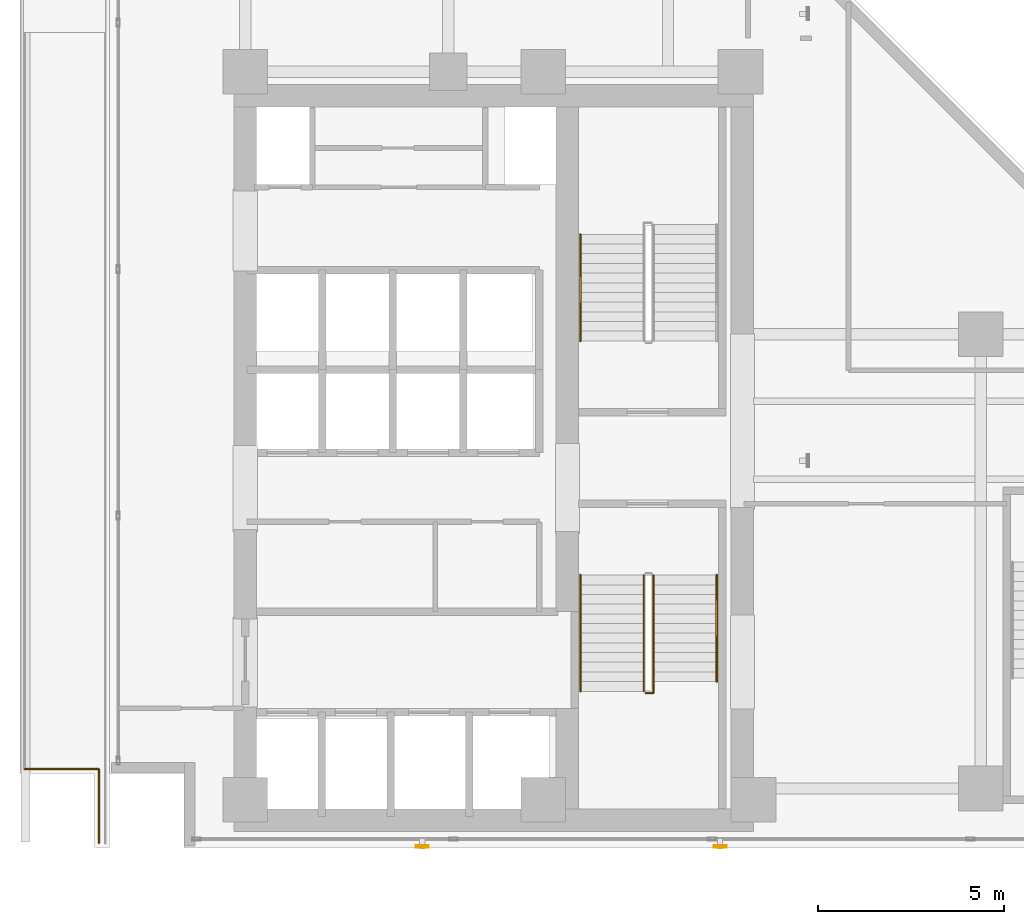
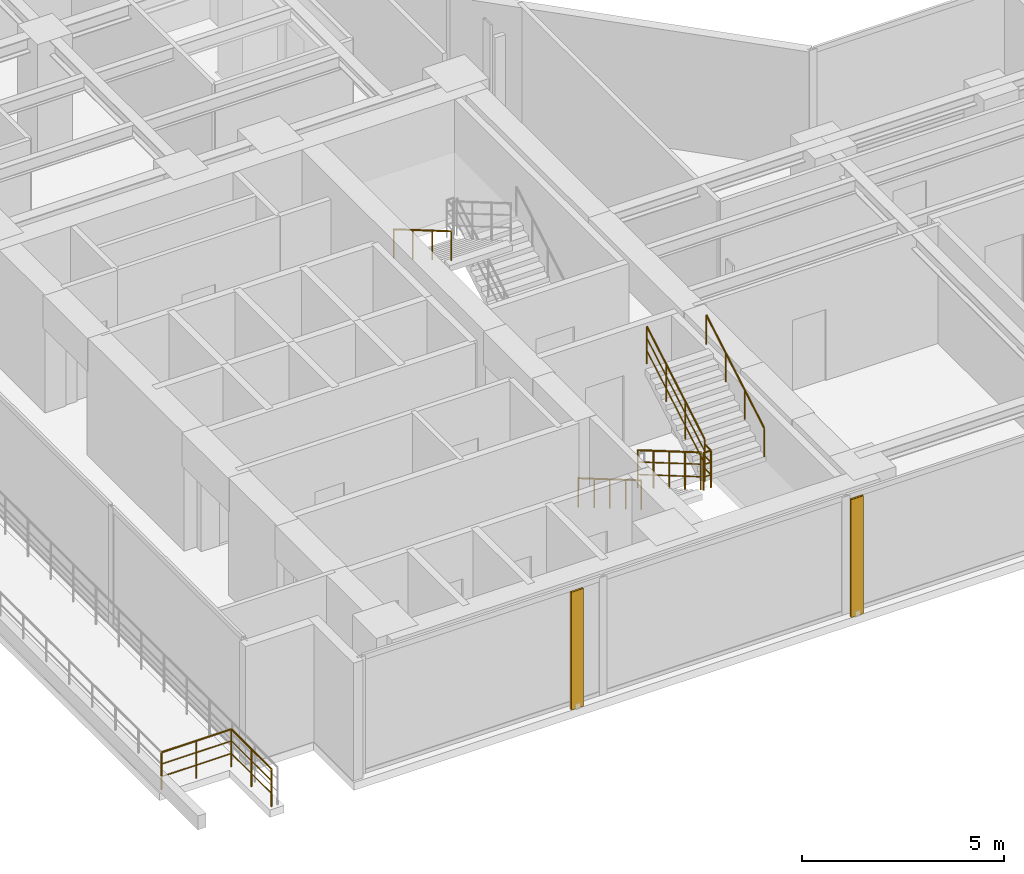
# One storey, part 24 of 28: 8 railings, 2 shading devices.
"""IFC4 building model written with IfcOpenShell, lengths in metres."""

from ifc_helpers import new_model, si_unit, direction, frame, origin, origin_2d, place, context, subcontext, project, spatial, hollow_rectangle, circle, extrude, material, material_profile, profile_set, type_object, element, save


model = new_model("IFC4")

# Units and contexts
model_context = context("Model", 3, precision=1e-05, world=origin(), true_north=direction((0.0, 1.0)))
body_context = subcontext(model_context, "Body", "Model", "MODEL_VIEW")
ifc_project = project(units=[si_unit("LENGTHUNIT", "METRE"), si_unit("AREAUNIT", "SQUARE_METRE"), si_unit("VOLUMEUNIT", "CUBIC_METRE"), si_unit("PLANEANGLEUNIT", "RADIAN"), si_unit("MASSUNIT", "GRAM", prefix="KILO")], contexts=[model_context])

# Site, building, storey
site_placement = place(None, origin())
site = spatial("IfcSite", under=ifc_project, at=site_placement, CompositionType="ELEMENT")
building_placement = place(site_placement, origin())
building = spatial("IfcBuilding", under=site, at=building_placement, Name="Kolvaren Waterfront Exchange", CompositionType="ELEMENT")
storey_placement = place(building_placement, frame((0.0, 0.0, 146.199951171875)))
storey = spatial("IfcBuildingStorey", under=building, at=storey_placement, Name="L37", CompositionType="ELEMENT", Elevation=146.199951171875)

# Shading devices
ifc_material_1 = material(Name="Anodised bronze aluminium 6063-T6", Category="aluminium")
ifc_material_profile = material_profile(ifc_material_1, hollow_rectangle(XDim=0.06005859375, YDim=0.35009765625, WallThickness=0.0048828125, at=origin_2d()), Name="BRZ-FIN-350x60x5")
ifc_profile_set = profile_set([ifc_material_profile], Name="Anodised bronze aluminium 6063-T6")
shading_device_type = type_object("IfcShadingDeviceType", Name="ARC-FIN-350", PredefinedType="USERDEFINED", material=ifc_profile_set)
for number, where, z_axis, x_axis, name in (
    (1, (12.199951171875, 3.639892578125, 0.0), (0.0, 0.0, 1.0), (0.0, -1.0, 0.0), "L37 anodised bronze solar shading fin FIN-L37-S1"),
    (2, (20.199951171875, 3.639892578125, 0.0), (0.0, 0.0, 1.0), (0.0, -1.0, 0.0), "L37 anodised bronze solar shading fin FIN-L37-S2"),
):
    element("IfcShadingDevice", number, at=place(storey_placement, frame(where, z_axis=z_axis, x_axis=x_axis)), inside=storey, type_object=shading_device_type, Name=name, ObjectType="SOLAR FIN", PredefinedType="USERDEFINED", context=body_context, shape_type="SweptSolid", body=[
        extrude(hollow_rectangle(XDim=0.06005859375, YDim=0.35009765625, WallThickness=0.0048828125, at=origin_2d()), origin(), (0.0, 0.0, 1.0), 3.56005859375),
    ])

# Railings
railing_type_1 = type_object("IfcRailingType", Name="ARC-GUARD-EXT", PredefinedType="GUARDRAIL", material=ifc_material_1)
railing_1_placement = place(storey_placement, frame((3.52001953125, 5.719970703125, 0.0)))
element("IfcRailing", 3, at=railing_1_placement, inside=storey, type_object=railing_type_1, Name="L37 sky-garden perimeter balustrade 2", PredefinedType="GUARDRAIL", context=body_context, shape_type="SweptSolid", body=[
    extrude(circle(Radius=0.02392578125, at=origin_2d()), frame((0.0, 0.0, 1.1259765625), z_axis=(-1.0, 0.0, 0.0), x_axis=(0.0, -1.0, 0.0)), (0.0, 0.0, 1.0), 2.0),
    extrude(circle(Radius=0.01611328125, at=origin_2d()), frame((0.0, 0.0, 0.390869140625), z_axis=(-1.0, 0.0, 0.0), x_axis=(0.0, -1.0, 0.0)), (0.0, 0.0, 1.0), 2.0),
    extrude(circle(Radius=0.01611328125, at=origin_2d()), frame((0.0, 0.0, 0.7705078125), z_axis=(-1.0, 0.0, 0.0), x_axis=(0.0, -1.0, 0.0)), (0.0, 0.0, 1.0), 2.0),
    extrude(circle(Radius=0.02099609375, at=origin_2d()), origin(), (0.0, 0.0, 1.0), 1.101806640625),
    extrude(circle(Radius=0.02099609375, at=origin_2d()), frame((-1.0, 0.0, 0.0)), (0.0, 0.0, 1.0), 1.101806640625),
    extrude(circle(Radius=0.02099609375, at=origin_2d()), frame((-2.0, 0.0, 0.0)), (0.0, 0.0, 1.0), 1.101806640625),
])
railing_2_placement = place(storey_placement, frame((3.52001953125, 3.72998046875, 0.0)))
element("IfcRailing", 4, at=railing_2_placement, inside=storey, type_object=railing_type_1, Name="L37 sky-garden perimeter balustrade 2", PredefinedType="GUARDRAIL", context=body_context, shape_type="SweptSolid", body=[
    extrude(circle(Radius=0.02392578125, at=origin_2d()), frame((0.0, 0.0, 1.1259765625), z_axis=(0.0, 1.0, 0.0), x_axis=(-1.0, 0.0, 0.0)), (0.0, 0.0, 1.0), 1.989990234375),
    extrude(circle(Radius=0.01611328125, at=origin_2d()), frame((0.0, 0.0, 0.390869140625), z_axis=(0.0, 1.0, 0.0), x_axis=(-1.0, 0.0, 0.0)), (0.0, 0.0, 1.0), 1.989990234375),
    extrude(circle(Radius=0.01611328125, at=origin_2d()), frame((0.0, 0.0, 0.7705078125), z_axis=(0.0, 1.0, 0.0), x_axis=(-1.0, 0.0, 0.0)), (0.0, 0.0, 1.0), 1.989990234375),
    extrude(circle(Radius=0.02099609375, at=origin_2d()), origin(), (0.0, 0.0, 1.0), 1.101806640625),
    extrude(circle(Radius=0.02099609375, at=origin_2d()), frame((0.0, 0.9951171875, 0.0)), (0.0, 0.0, 1.0), 1.101806640625),
    extrude(circle(Radius=0.02099609375, at=origin_2d()), frame((0.0, 1.989990234375, 0.0)), (0.0, 0.0, 1.0), 1.101806640625),
])
ifc_material_2 = material(Name="Stainless steel 316", Category="steel")
railing_type_2 = type_object("IfcRailingType", Name="ARC-GUARD-STAIR", PredefinedType="GUARDRAIL", material=ifc_material_2)
railing_3_placement = place(storey_placement, frame((18.14990234375, 10.929931640625, 0.152099609375)))
element("IfcRailing", 5, at=railing_3_placement, inside=storey, type_object=railing_type_2, Name="L37 ST1 stair guard 1", PredefinedType="GUARDRAIL", context=body_context, shape_type="SweptSolid", body=[
    extrude(circle(Radius=0.02392578125, at=origin_2d()), frame((0.0, 0.0, 1.1259765625), z_axis=(0.0, -0.86329090724, 0.504706656858), x_axis=(1.0, 0.0, 0.0)), (0.0, 0.0, 1.0), 3.614013671875),
    extrude(circle(Radius=0.01611328125, at=origin_2d()), frame((0.0, 0.0, 0.390869140625), z_axis=(0.0, -0.86329090724, 0.504706656858), x_axis=(1.0, 0.0, 0.0)), (0.0, 0.0, 1.0), 3.614013671875),
    extrude(circle(Radius=0.01611328125, at=origin_2d()), frame((0.0, 0.0, 0.7705078125), z_axis=(0.0, -0.86329090724, 0.504706656858), x_axis=(1.0, 0.0, 0.0)), (0.0, 0.0, 1.0), 3.614013671875),
    extrude(circle(Radius=0.02099609375, at=origin_2d()), origin(), (0.0, 0.0, 1.0), 1.101806640625),
    extrude(circle(Radius=0.02099609375, at=origin_2d()), frame((0.0, -0.780029296875, 0.4560546875)), (0.0, 0.0, 1.0), 1.101806640625),
    extrude(circle(Radius=0.02099609375, at=origin_2d()), frame((0.0, -1.56005859375, 0.912109375)), (0.0, 0.0, 1.0), 1.101806640625),
    extrude(circle(Radius=0.02099609375, at=origin_2d()), frame((0.0, -2.33984375, 1.367919921875)), (0.0, 0.0, 1.0), 1.101806640625),
    extrude(circle(Radius=0.02099609375, at=origin_2d()), frame((0.0, -3.119873046875, 1.823974609375)), (0.0, 0.0, 1.0), 1.101806640625),
])
railing_4_placement = place(storey_placement, frame((18.199951171875, 7.760009765625, 1.97607421875)))
element("IfcRailing", 6, at=railing_4_placement, inside=storey, type_object=railing_type_2, Name="L37 ST1 stair guard 2", PredefinedType="GUARDRAIL", context=body_context, shape_type="SweptSolid", body=[
    extrude(circle(Radius=0.02392578125, at=origin_2d()), frame((0.0, 0.0, 1.1259765625), z_axis=(1.0, 0.0, 0.0), x_axis=(0.0, 1.0, 0.0)), (0.0, 0.0, 1.0), 0.2099609375),
    extrude(circle(Radius=0.01611328125, at=origin_2d()), frame((0.0, 0.0, 0.390869140625), z_axis=(1.0, 0.0, 0.0), x_axis=(0.0, 1.0, 0.0)), (0.0, 0.0, 1.0), 0.2099609375),
    extrude(circle(Radius=0.01611328125, at=origin_2d()), frame((0.0, 0.0, 0.7705078125), z_axis=(1.0, 0.0, 0.0), x_axis=(0.0, 1.0, 0.0)), (0.0, 0.0, 1.0), 0.2099609375),
    extrude(circle(Radius=0.02392578125, at=origin_2d()), frame((0.2099609375, 0.0, 1.1259765625), z_axis=(0.0, 1.0, 0.0), x_axis=(-1.0, 0.0, 0.0)), (0.0, 0.0, 1.0), 0.31005859375),
    extrude(circle(Radius=0.01611328125, at=origin_2d()), frame((0.2099609375, 0.0, 0.390869140625), z_axis=(0.0, 1.0, 0.0), x_axis=(-1.0, 0.0, 0.0)), (0.0, 0.0, 1.0), 0.31005859375),
    extrude(circle(Radius=0.01611328125, at=origin_2d()), frame((0.2099609375, 0.0, 0.7705078125), z_axis=(0.0, 1.0, 0.0), x_axis=(-1.0, 0.0, 0.0)), (0.0, 0.0, 1.0), 0.31005859375),
    extrude(circle(Radius=0.02099609375, at=origin_2d()), origin(), (0.0, 0.0, 1.0), 1.101806640625),
    extrude(circle(Radius=0.02099609375, at=origin_2d()), frame((0.2099609375, 0.0, 0.0)), (0.0, 0.0, 1.0), 1.101806640625),
    extrude(circle(Radius=0.02099609375, at=origin_2d()), frame((0.2099609375, 0.31005859375, 0.0)), (0.0, 0.0, 1.0), 1.101806640625),
])
railing_5_placement = place(storey_placement, frame((18.409912109375, 8.070068359375, 2.1279296875)))
element("IfcRailing", 7, at=railing_5_placement, inside=storey, type_object=railing_type_2, Name="L37 ST1 stair guard 3", PredefinedType="GUARDRAIL", context=body_context, shape_type="SweptSolid", body=[
    extrude(circle(Radius=0.02392578125, at=origin_2d()), frame((0.0, 0.0, 1.1259765625), z_axis=(0.0, 0.863270611444, 0.50474137082), x_axis=(-1.0, 0.0, 0.0)), (0.0, 0.0, 1.0), 3.312744140625),
    extrude(circle(Radius=0.01611328125, at=origin_2d()), frame((0.0, 0.0, 0.390869140625), z_axis=(0.0, 0.863270611444, 0.50474137082), x_axis=(-1.0, 0.0, 0.0)), (0.0, 0.0, 1.0), 3.312744140625),
    extrude(circle(Radius=0.01611328125, at=origin_2d()), frame((0.0, 0.0, 0.7705078125), z_axis=(0.0, 0.863270611444, 0.50474137082), x_axis=(-1.0, 0.0, 0.0)), (0.0, 0.0, 1.0), 3.312744140625),
    extrude(circle(Radius=0.02099609375, at=origin_2d()), origin(), (0.0, 0.0, 1.0), 1.101806640625),
    extrude(circle(Radius=0.02099609375, at=origin_2d()), frame((0.0, 0.953369140625, 0.557373046875)), (0.0, 0.0, 1.0), 1.101806640625),
    extrude(circle(Radius=0.02099609375, at=origin_2d()), frame((0.0, 1.906494140625, 1.11474609375)), (0.0, 0.0, 1.0), 1.101806640625),
    extrude(circle(Radius=0.02099609375, at=origin_2d()), frame((0.0, 2.85986328125, 1.672119140625)), (0.0, 0.0, 1.0), 1.101806640625),
])
railing_type_3 = type_object("IfcRailingType", Name="ARC-HANDRAIL-900", PredefinedType="HANDRAIL", material=ifc_material_2)
railing_6_placement = place(storey_placement, frame((16.449951171875, 10.929931640625, 0.152099609375)))
element("IfcRailing", 8, at=railing_6_placement, inside=storey, type_object=railing_type_3, Name="L37 ST1 stair handrail 1", PredefinedType="HANDRAIL", context=body_context, shape_type="SweptSolid", body=[
    extrude(circle(Radius=0.02392578125, at=origin_2d()), frame((0.0, 0.0, 0.8759765625), z_axis=(0.0, -0.86329090724, 0.504706656858), x_axis=(1.0, 0.0, 0.0)), (0.0, 0.0, 1.0), 3.614013671875),
    extrude(circle(Radius=0.02099609375, at=origin_2d()), origin(), (0.0, 0.0, 1.0), 0.851806640625),
    extrude(circle(Radius=0.02099609375, at=origin_2d()), frame((0.0, -0.780029296875, 0.4560546875)), (0.0, 0.0, 1.0), 0.851806640625),
    extrude(circle(Radius=0.02099609375, at=origin_2d()), frame((0.0, -1.56005859375, 0.912109375)), (0.0, 0.0, 1.0), 0.851806640625),
    extrude(circle(Radius=0.02099609375, at=origin_2d()), frame((0.0, -2.33984375, 1.367919921875)), (0.0, 0.0, 1.0), 0.851806640625),
    extrude(circle(Radius=0.02099609375, at=origin_2d()), frame((0.0, -3.119873046875, 1.823974609375)), (0.0, 0.0, 1.0), 0.851806640625),
])
railing_7_placement = place(storey_placement, frame((20.110107421875, 8.070068359375, 2.1279296875)))
element("IfcRailing", 9, at=railing_7_placement, inside=storey, type_object=railing_type_3, Name="L37 ST1 stair handrail 2", PredefinedType="HANDRAIL", context=body_context, shape_type="SweptSolid", body=[
    extrude(circle(Radius=0.02392578125, at=origin_2d()), frame((0.0, 0.0, 0.8759765625), z_axis=(0.0, 0.863270611444, 0.50474137082), x_axis=(-1.0, 0.0, 0.0)), (0.0, 0.0, 1.0), 3.312744140625),
    extrude(circle(Radius=0.02099609375, at=origin_2d()), origin(), (0.0, 0.0, 1.0), 0.851806640625),
    extrude(circle(Radius=0.02099609375, at=origin_2d()), frame((0.0, 0.953369140625, 0.557373046875)), (0.0, 0.0, 1.0), 0.851806640625),
    extrude(circle(Radius=0.02099609375, at=origin_2d()), frame((0.0, 1.906494140625, 1.11474609375)), (0.0, 0.0, 1.0), 0.851806640625),
    extrude(circle(Radius=0.02099609375, at=origin_2d()), frame((0.0, 2.85986328125, 1.672119140625)), (0.0, 0.0, 1.0), 0.851806640625),
])
railing_8_placement = place(storey_placement, frame((16.449951171875, 20.080078125, 2.1279296875)))
element("IfcRailing", 10, at=railing_8_placement, inside=storey, type_object=railing_type_3, Name="L37 ST2 stair handrail 2", PredefinedType="HANDRAIL", context=body_context, shape_type="SweptSolid", body=[
    extrude(circle(Radius=0.02392578125, at=origin_2d()), frame((0.0, 0.0, 0.8759765625), z_axis=(0.0, -0.863289384635, 0.504709261235), x_axis=(1.0, 0.0, 0.0)), (0.0, 0.0, 1.0), 3.31298828125),
    extrude(circle(Radius=0.02099609375, at=origin_2d()), origin(), (0.0, 0.0, 1.0), 0.851806640625),
    extrude(circle(Radius=0.02099609375, at=origin_2d()), frame((0.0, -0.953369140625, 0.557373046875)), (0.0, 0.0, 1.0), 0.851806640625),
    extrude(circle(Radius=0.02099609375, at=origin_2d()), frame((0.0, -1.90673828125, 1.11474609375)), (0.0, 0.0, 1.0), 0.851806640625),
    extrude(circle(Radius=0.02099609375, at=origin_2d()), frame((0.0, -2.860107421875, 1.672119140625)), (0.0, 0.0, 1.0), 0.851806640625),
])

save(model, "model.ifc")
